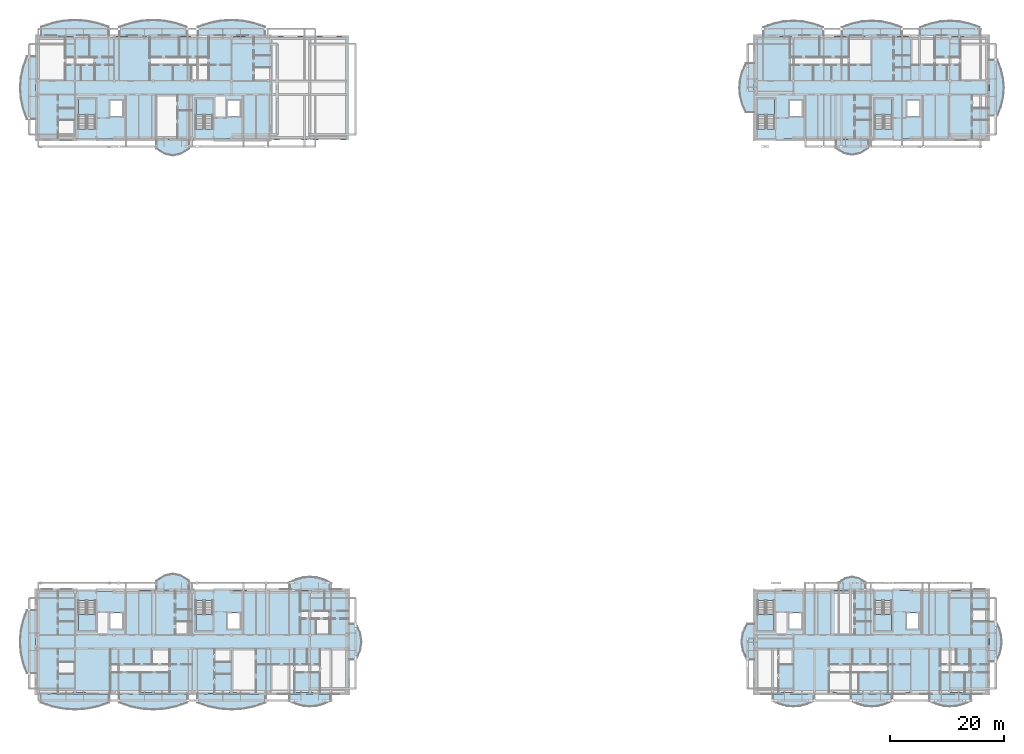
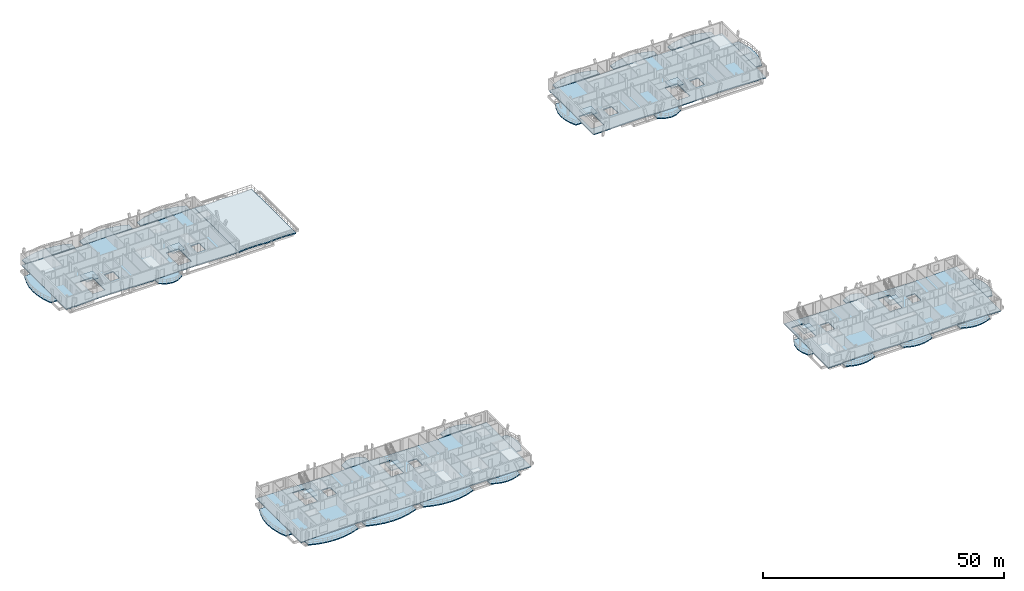
# One storey, part 9 of 42: 38 slabs, 8 elements without a shape of their own.
"""IFC4 building model written with IfcOpenShell, lengths in metres."""

from ifc_helpers import new_model, si_unit, direction, frame, origin, place, context, subcontext, project, spatial, polyline, outline, extrude, material, layer, layer_set, type_object, element, aggregate, save


model = new_model("IFC4")

# Units and contexts
model_context = context("Model", 3, precision=1e-05, world=origin(), true_north=direction((0.0, 1.0)))
body_context = subcontext(model_context, "Body", "Model", "MODEL_VIEW")
ifc_project = project(units=[si_unit("LENGTHUNIT", "METRE"), si_unit("AREAUNIT", "SQUARE_METRE"), si_unit("VOLUMEUNIT", "CUBIC_METRE"), si_unit("PLANEANGLEUNIT", "RADIAN"), si_unit("MASSUNIT", "GRAM", prefix="KILO")], contexts=[model_context])

# Site, building, storey
site_placement = place(None, origin())
site = spatial("IfcSite", under=ifc_project, at=site_placement, CompositionType="ELEMENT")
building_placement = place(site_placement, origin())
building = spatial("IfcBuilding", under=site, at=building_placement, Name="Zavelmont Quarter", CompositionType="ELEMENT")
storey_placement = place(building_placement, frame((0.0, 0.0, 24.0)))
storey = spatial("IfcBuildingStorey", under=building, at=storey_placement, Name="L07", CompositionType="ELEMENT", Elevation=24.0)

# Slabs
ifc_material_1 = material(Name="White architectural precast concrete C40/50", Category="concrete")
ifc_layer_1 = layer(ifc_material_1, 0.235107421875)
ifc_layer_set_1 = layer_set([ifc_layer_1], Name="White architectural precast concrete C40/50")
slab_type_1 = type_object("IfcSlabType", Name="SL-BL180", PredefinedType="FLOOR", material=ifc_layer_set_1)
slab_1_placement = place(storey_placement, frame((0.0, 0.0, -0.235107421875)))
element("IfcSlab", 1, at=slab_1_placement, inside=storey, type_object=slab_type_1, Name="L07 Block A street vase 1 balcony SL-BL180", PredefinedType="FLOOR", context=body_context, shape_type="SweptSolid", body=[
    extrude(outline(polyline([(0.89990234375, -0.02001953125), (0.89990234375, -1.538818359375), (2.89990234375, -2.210693359375), (4.89990234375, -2.61376953125), (6.89990234375, -2.748046875), (8.89990234375, -2.61376953125), (10.89990234375, -2.210693359375), (12.89990234375, -1.538818359375), (12.89990234375, -0.02001953125), (0.89990234375, -0.02001953125)])), origin(), (0.0, 0.0, 1.0), 0.235107421875),
])
slab_2_placement = place(storey_placement, frame((0.0, 0.0, -0.235107421875)))
element("IfcSlab", 2, at=slab_2_placement, inside=storey, type_object=slab_type_1, Name="L07 Block A street vase 4 balcony SL-BL180", PredefinedType="FLOOR", context=body_context, shape_type="SweptSolid", body=[
    extrude(outline(polyline([(44.69873046875, -0.02001953125), (44.69873046875, -1.237548828125), (45.899169921875, -1.77783203125), (47.099609375, -2.10205078125), (48.300048828125, -2.2099609375), (49.50048828125, -2.10205078125), (50.700927734375, -1.77783203125), (51.9013671875, -1.237548828125), (51.9013671875, -0.02001953125), (44.69873046875, -0.02001953125)])), origin(), (0.0, 0.0, 1.0), 0.235107421875),
])
slab_3_placement = place(storey_placement, frame((0.0, 0.0, -0.235107421875)))
element("IfcSlab", 3, at=slab_3_placement, inside=storey, type_object=slab_type_1, Name="L07 Block A courtyard central vase balcony SL-BL180", PredefinedType="FLOOR", context=body_context, shape_type="SweptSolid", body=[
    extrude(outline(polyline([(27.0, 18.419921875), (27.0, 19.93896484375), (25.574951171875, 20.845703125), (24.14990234375, 21.14794921875), (22.72509765625, 20.845703125), (21.300048828125, 19.93896484375), (21.300048828125, 18.419921875), (27.0, 18.419921875)])), origin(), (0.0, 0.0, 1.0), 0.235107421875),
])
slab_4_placement = place(storey_placement, frame((0.0, 0.0, -0.235107421875)))
element("IfcSlab", 4, at=slab_4_placement, inside=storey, type_object=slab_type_1, Name="L07 Block B street vase 1 balcony SL-BL180", PredefinedType="FLOOR", context=body_context, shape_type="SweptSolid", body=[
    extrude(outline(polyline([(12.821044921875, 116.02001953125), (12.821044921875, 117.5283203125), (10.847412109375, 118.1953125), (8.873779296875, 118.595703125), (6.89990234375, 118.72900390625), (4.92626953125, 118.595703125), (2.95263671875, 118.1953125), (0.97900390625, 117.5283203125), (0.97900390625, 116.02001953125), (12.821044921875, 116.02001953125)])), origin(), (0.0, 0.0, 1.0), 0.235107421875),
])
slab_5_placement = place(storey_placement, frame((0.0, 0.0, -0.235107421875)))
element("IfcSlab", 5, at=slab_5_placement, inside=storey, type_object=slab_type_1, Name="L07 Block B courtyard central vase balcony SL-BL180", PredefinedType="FLOOR", context=body_context, shape_type="SweptSolid", body=[
    extrude(outline(polyline([(21.300048828125, 97.580078125), (21.300048828125, 96.07177734375), (22.72509765625, 95.171142578125), (24.14990234375, 94.87109375), (25.574951171875, 95.171142578125), (27.0, 96.07177734375), (27.0, 97.580078125), (21.300048828125, 97.580078125)])), origin(), (0.0, 0.0, 1.0), 0.235107421875),
])
slab_6_placement = place(storey_placement, frame((0.0, 0.0, -0.235107421875)))
element("IfcSlab", 6, at=slab_6_placement, inside=storey, type_object=slab_type_1, Name="L07 Block C street vase 4 balcony SL-BL180", PredefinedType="FLOOR", context=body_context, shape_type="SweptSolid", body=[
    extrude(outline(polyline([(166.34912109375, 116.02001953125), (166.34912109375, 117.4521484375), (164.599365234375, 118.0859375), (162.849609375, 118.46630859375), (161.10009765625, 118.593017578125), (159.350341796875, 118.46630859375), (157.6005859375, 118.0859375), (155.850830078125, 117.4521484375), (155.850830078125, 116.02001953125), (166.34912109375, 116.02001953125)])), origin(), (0.0, 0.0, 1.0), 0.235107421875),
])
slab_7_placement = place(storey_placement, frame((0.0, 0.0, -0.235107421875)))
element("IfcSlab", 7, at=slab_7_placement, inside=storey, type_object=slab_type_1, Name="L07 Block C courtyard central vase balcony SL-BL180", PredefinedType="FLOOR", context=body_context, shape_type="SweptSolid", body=[
    extrude(outline(polyline([(141.0, 97.580078125), (141.0, 96.14794921875), (142.425048828125, 95.292236328125), (143.85009765625, 95.007080078125), (145.27490234375, 95.292236328125), (146.699951171875, 96.14794921875), (146.699951171875, 97.580078125), (141.0, 97.580078125)])), origin(), (0.0, 0.0, 1.0), 0.235107421875),
])
slab_8_placement = place(storey_placement, frame((0.0, 0.0, -0.235107421875)))
element("IfcSlab", 8, at=slab_8_placement, inside=storey, type_object=slab_type_1, Name="L07 Block D street vase 4 balcony SL-BL180", PredefinedType="FLOOR", context=body_context, shape_type="SweptSolid", body=[
    extrude(outline(polyline([(157.498779296875, -0.02001953125), (157.498779296875, -1.237548828125), (158.69921875, -1.77783203125), (159.899658203125, -2.10205078125), (161.10009765625, -2.2099609375), (162.30029296875, -2.10205078125), (163.5009765625, -1.77783203125), (164.701416015625, -1.237548828125), (164.701416015625, -0.02001953125), (157.498779296875, -0.02001953125)])), origin(), (0.0, 0.0, 1.0), 0.235107421875),
])
slab_9_placement = place(storey_placement, frame((0.0, 0.0, -0.235107421875)))
element("IfcSlab", 9, at=slab_9_placement, inside=storey, type_object=slab_type_1, Name="L07 Block D courtyard central vase balcony SL-BL180", PredefinedType="FLOOR", context=body_context, shape_type="SweptSolid", body=[
    extrude(outline(polyline([(146.199462890625, 18.419921875), (146.199462890625, 19.6376953125), (145.024658203125, 20.366943359375), (143.85009765625, 20.610107421875), (142.67529296875, 20.366943359375), (141.50048828125, 19.6376953125), (141.50048828125, 18.419921875), (146.199462890625, 18.419921875)])), origin(), (0.0, 0.0, 1.0), 0.235107421875),
])
ifc_layer_2 = layer(ifc_material_1, 0.2451171875)
ifc_layer_set_2 = layer_set([ifc_layer_2], Name="White architectural precast concrete C40/50")
slab_type_2 = type_object("IfcSlabType", Name="SL-BL200", PredefinedType="FLOOR", material=ifc_layer_set_2)
slab_10_placement = place(storey_placement, frame((0.0, 0.0, -0.2451171875)))
element("IfcSlab", 10, at=slab_10_placement, inside=storey, type_object=slab_type_2, Name="L07 Block A street vase 3 balcony SL-BL200", PredefinedType="FLOOR", context=body_context, shape_type="SweptSolid", body=[
    extrude(outline(polyline([(28.5, -0.02001953125), (28.5, -1.538818359375), (30.5, -2.210693359375), (32.5, -2.61376953125), (34.5, -2.748046875), (36.5, -2.61376953125), (38.5, -2.210693359375), (40.5, -1.538818359375), (40.5, -0.02001953125), (28.5, -0.02001953125)])), origin(), (0.0, 0.0, 1.0), 0.2451171875),
])
slab_11_placement = place(storey_placement, frame((0.0, 0.0, -0.2451171875)))
element("IfcSlab", 11, at=slab_11_placement, inside=storey, type_object=slab_type_2, Name="L07 Block A courtyard return vase balcony SL-BL200", PredefinedType="FLOOR", context=body_context, shape_type="SweptSolid", body=[
    extrude(outline(polyline([(55.219970703125, 6.074951171875), (56.4375, 6.074951171875), (57.1669921875, 7.637451171875), (57.409912109375, 9.199951171875), (57.1669921875, 10.762451171875), (56.4375, 12.3251953125), (55.219970703125, 12.3251953125), (55.219970703125, 6.074951171875)])), origin(), (0.0, 0.0, 1.0), 0.2451171875),
])
slab_12_placement = place(storey_placement, frame((0.0, 0.0, -0.2451171875)))
element("IfcSlab", 12, at=slab_12_placement, inside=storey, type_object=slab_type_2, Name="L07 Block A courtyard outer vase balcony SL-BL200", PredefinedType="FLOOR", context=body_context, shape_type="SweptSolid", body=[
    extrude(outline(polyline([(51.802490234375, 18.419921875), (51.802490234375, 19.6376953125), (50.635009765625, 20.177734375), (49.467529296875, 20.501953125), (48.300048828125, 20.610107421875), (47.132568359375, 20.501953125), (45.965087890625, 20.177734375), (44.797607421875, 19.6376953125), (44.797607421875, 18.419921875), (51.802490234375, 18.419921875)])), origin(), (0.0, 0.0, 1.0), 0.2451171875),
])
slab_13_placement = place(storey_placement, frame((0.0, 0.0, -0.2451171875)))
element("IfcSlab", 13, at=slab_13_placement, inside=storey, type_object=slab_type_2, Name="L07 Block B street vase 3 balcony SL-BL200", PredefinedType="FLOOR", context=body_context, shape_type="SweptSolid", body=[
    extrude(outline(polyline([(40.421142578125, 116.02001953125), (40.421142578125, 117.5283203125), (38.447509765625, 118.1953125), (36.4736328125, 118.595703125), (34.5, 118.72900390625), (32.5263671875, 118.595703125), (30.552490234375, 118.1953125), (28.578857421875, 117.5283203125), (28.578857421875, 116.02001953125), (40.421142578125, 116.02001953125)])), origin(), (0.0, 0.0, 1.0), 0.2451171875),
])
slab_14_placement = place(storey_placement, frame((0.0, 0.0, -0.2451171875)))
element("IfcSlab", 14, at=slab_14_placement, inside=storey, type_object=slab_type_2, Name="L07 Block C street vase 3 balcony SL-BL200", PredefinedType="FLOOR", context=body_context, shape_type="SweptSolid", body=[
    extrude(outline(polyline([(152.549072265625, 116.02001953125), (152.549072265625, 117.4521484375), (150.79931640625, 118.0859375), (149.0498046875, 118.46630859375), (147.300048828125, 118.593017578125), (145.55029296875, 118.46630859375), (143.800537109375, 118.0859375), (142.05078125, 117.4521484375), (142.05078125, 116.02001953125), (152.549072265625, 116.02001953125)])), origin(), (0.0, 0.0, 1.0), 0.2451171875),
])
slab_15_placement = place(storey_placement, frame((0.0, 0.0, -0.2451171875)))
element("IfcSlab", 15, at=slab_15_placement, inside=storey, type_object=slab_type_2, Name="L07 Block C courtyard return vase balcony SL-BL200", PredefinedType="FLOOR", context=body_context, shape_type="SweptSolid", body=[
    extrude(outline(polyline([(126.580078125, 111.11376953125), (125.14794921875, 111.11376953125), (124.51416015625, 109.67578125), (124.1337890625, 108.23779296875), (124.007080078125, 106.800048828125), (124.1337890625, 105.362060546875), (124.51416015625, 103.924072265625), (125.14794921875, 102.486083984375), (126.580078125, 102.486083984375), (126.580078125, 111.11376953125)])), origin(), (0.0, 0.0, 1.0), 0.2451171875),
])
slab_16_placement = place(storey_placement, frame((0.0, 0.0, -0.2451171875)))
element("IfcSlab", 16, at=slab_16_placement, inside=storey, type_object=slab_type_2, Name="L07 Block D street vase 3 balcony SL-BL200", PredefinedType="FLOOR", context=body_context, shape_type="SweptSolid", body=[
    extrude(outline(polyline([(143.69873046875, -0.02001953125), (143.69873046875, -1.237548828125), (144.899169921875, -1.77783203125), (146.099609375, -2.10205078125), (147.300048828125, -2.2099609375), (148.50048828125, -2.10205078125), (149.700927734375, -1.77783203125), (150.9013671875, -1.237548828125), (150.9013671875, -0.02001953125), (143.69873046875, -0.02001953125)])), origin(), (0.0, 0.0, 1.0), 0.2451171875),
])
slab_17_placement = place(storey_placement, frame((0.0, 0.0, -0.2451171875)))
element("IfcSlab", 17, at=slab_17_placement, inside=storey, type_object=slab_type_2, Name="L07 Block D courtyard return vase balcony SL-BL200", PredefinedType="FLOOR", context=body_context, shape_type="SweptSolid", body=[
    extrude(outline(polyline([(126.580078125, 12.3251953125), (125.3623046875, 12.3251953125), (124.633056640625, 10.762451171875), (124.389892578125, 9.199951171875), (124.633056640625, 7.637451171875), (125.3623046875, 6.074951171875), (126.580078125, 6.074951171875), (126.580078125, 12.3251953125)])), origin(), (0.0, 0.0, 1.0), 0.2451171875),
])
ifc_layer_3 = layer(ifc_material_1, 0.2548828125)
ifc_layer_set_3 = layer_set([ifc_layer_3], Name="White architectural precast concrete C40/50")
slab_type_3 = type_object("IfcSlabType", Name="SL-BL220", PredefinedType="FLOOR", material=ifc_layer_set_3)
slab_18_placement = place(storey_placement, frame((0.0, 0.0, -0.2548828125)))
element("IfcSlab", 18, at=slab_18_placement, inside=storey, type_object=slab_type_3, Name="L07 Block A street vase 2 balcony SL-BL220", PredefinedType="FLOOR", context=body_context, shape_type="SweptSolid", body=[
    extrude(outline(polyline([(14.699951171875, -0.02001953125), (14.699951171875, -1.538818359375), (16.699951171875, -2.210693359375), (18.699951171875, -2.61376953125), (20.699951171875, -2.748046875), (22.699951171875, -2.61376953125), (24.699951171875, -2.210693359375), (26.699951171875, -1.538818359375), (26.699951171875, -0.02001953125), (14.699951171875, -0.02001953125)])), origin(), (0.0, 0.0, 1.0), 0.2548828125),
])
slab_19_placement = place(storey_placement, frame((0.0, 0.0, -0.2548828125)))
element("IfcSlab", 19, at=slab_19_placement, inside=storey, type_object=slab_type_3, Name="L07 Block A boulevard vase balcony SL-BL220", PredefinedType="FLOOR", context=body_context, shape_type="SweptSolid", body=[
    extrude(outline(polyline([(-0.02001953125, 14.75), (-1.538818359375, 14.75), (-2.210693359375, 12.89990234375), (-2.61376953125, 11.050048828125), (-2.748046875, 9.199951171875), (-2.61376953125, 7.35009765625), (-2.210693359375, 5.5), (-1.538818359375, 3.64990234375), (-0.02001953125, 3.64990234375), (-0.02001953125, 14.75)])), origin(), (0.0, 0.0, 1.0), 0.2548828125),
])
slab_20_placement = place(storey_placement, frame((0.0, 0.0, -0.2548828125)))
element("IfcSlab", 20, at=slab_20_placement, inside=storey, type_object=slab_type_3, Name="L07 Block B street vase 2 balcony SL-BL220", PredefinedType="FLOOR", context=body_context, shape_type="SweptSolid", body=[
    extrude(outline(polyline([(26.62109375, 116.02001953125), (26.62109375, 117.5283203125), (24.6474609375, 118.1953125), (22.673583984375, 118.595703125), (20.699951171875, 118.72900390625), (18.726318359375, 118.595703125), (16.752685546875, 118.1953125), (14.77880859375, 117.5283203125), (14.77880859375, 116.02001953125), (26.62109375, 116.02001953125)])), origin(), (0.0, 0.0, 1.0), 0.2548828125),
])
slab_21_placement = place(storey_placement, frame((0.0, 0.0, -0.2548828125)))
element("IfcSlab", 21, at=slab_21_placement, inside=storey, type_object=slab_type_3, Name="L07 Block B boulevard vase balcony SL-BL220", PredefinedType="FLOOR", context=body_context, shape_type="SweptSolid", body=[
    extrude(outline(polyline([(-0.02001953125, 112.30126953125), (-1.5283203125, 112.30126953125), (-2.1953125, 110.467529296875), (-2.595703125, 108.6337890625), (-2.72900390625, 106.800048828125), (-2.595703125, 104.96630859375), (-2.1953125, 103.132568359375), (-1.5283203125, 101.298828125), (-0.02001953125, 101.298828125), (-0.02001953125, 112.30126953125)])), origin(), (0.0, 0.0, 1.0), 0.2548828125),
])
slab_22_placement = place(storey_placement, frame((0.0, 0.0, -0.2548828125)))
element("IfcSlab", 22, at=slab_22_placement, inside=storey, type_object=slab_type_3, Name="L07 Block C street vase 2 balcony SL-BL220", PredefinedType="FLOOR", context=body_context, shape_type="SweptSolid", body=[
    extrude(outline(polyline([(138.7490234375, 116.02001953125), (138.7490234375, 117.4521484375), (136.99951171875, 118.0859375), (135.249755859375, 118.46630859375), (133.5, 118.593017578125), (131.750244140625, 118.46630859375), (130.00048828125, 118.0859375), (128.2509765625, 117.4521484375), (128.2509765625, 116.02001953125), (138.7490234375, 116.02001953125)])), origin(), (0.0, 0.0, 1.0), 0.2548828125),
])
slab_23_placement = place(storey_placement, frame((0.0, 0.0, -0.2548828125)))
element("IfcSlab", 23, at=slab_23_placement, inside=storey, type_object=slab_type_3, Name="L07 Block C boulevard vase balcony SL-BL220", PredefinedType="FLOOR", context=body_context, shape_type="SweptSolid", body=[
    extrude(outline(polyline([(168.02001953125, 101.888671875), (169.4521484375, 101.888671875), (170.0859375, 103.52587890625), (170.46630859375, 105.162841796875), (170.593017578125, 106.800048828125), (170.46630859375, 108.43701171875), (170.0859375, 110.07421875), (169.4521484375, 111.711181640625), (168.02001953125, 111.711181640625), (168.02001953125, 101.888671875)])), origin(), (0.0, 0.0, 1.0), 0.2548828125),
])
slab_24_placement = place(storey_placement, frame((0.0, 0.0, -0.2548828125)))
element("IfcSlab", 24, at=slab_24_placement, inside=storey, type_object=slab_type_3, Name="L07 Block D street vase 2 balcony SL-BL220", PredefinedType="FLOOR", context=body_context, shape_type="SweptSolid", body=[
    extrude(outline(polyline([(129.898681640625, -0.02001953125), (129.898681640625, -1.237548828125), (131.09912109375, -1.77783203125), (132.299560546875, -2.10205078125), (133.5, -2.2099609375), (134.700439453125, -2.10205078125), (135.90087890625, -1.77783203125), (137.101318359375, -1.237548828125), (137.101318359375, -0.02001953125), (129.898681640625, -0.02001953125)])), origin(), (0.0, 0.0, 1.0), 0.2548828125),
])
slab_25_placement = place(storey_placement, frame((0.0, 0.0, -0.2548828125)))
element("IfcSlab", 25, at=slab_25_placement, inside=storey, type_object=slab_type_3, Name="L07 Block D boulevard vase balcony SL-BL220", PredefinedType="FLOOR", context=body_context, shape_type="SweptSolid", body=[
    extrude(outline(polyline([(168.02001953125, 5.697509765625), (169.237548828125, 5.697509765625), (169.77783203125, 6.864990234375), (170.10205078125, 8.032470703125), (170.2099609375, 9.199951171875), (170.10205078125, 10.367431640625), (169.77783203125, 11.534912109375), (169.237548828125, 12.702392578125), (168.02001953125, 12.702392578125), (168.02001953125, 5.697509765625)])), origin(), (0.0, 0.0, 1.0), 0.2548828125),
])
ifc_material_2 = material(Name="Concrete C35/45", Category="concrete")
ifc_layer_4 = layer(ifc_material_2, 0.25)
ifc_layer_set_4 = layer_set([ifc_layer_4], Name="Concrete C35/45")
slab_type_4 = type_object("IfcSlabType", Name="SL-FL250", PredefinedType="FLOOR", material=ifc_layer_set_4)
slab_26_placement = place(storey_placement, frame((0.0, 0.0, -0.25)))
element("IfcSlab", 26, at=slab_26_placement, inside=storey, type_object=slab_type_4, Name="L07 Block A floor slab SL-FL250", PredefinedType="FLOOR", context=body_context, shape_type="SweptSolid", body=[
    extrude(outline(polyline([(0.0, 0.0), (3.449951171875, 0.041015625), (6.89990234375, 0.139892578125), (10.35009765625, 0.239013671875), (13.800048828125, 0.280029296875), (17.25, 0.239013671875), (20.699951171875, 0.139892578125), (24.14990234375, 0.041015625), (27.60009765625, 0.0), (31.050048828125, 0.041015625), (34.5, 0.139892578125), (37.949951171875, 0.239013671875), (41.39990234375, 0.280029296875), (44.85009765625, 0.239013671875), (48.300048828125, 0.139892578125), (51.75, 0.041015625), (55.199951171875, 0.0), (55.199951171875, 3.679931640625), (55.199951171875, 7.360107421875), (55.199951171875, 11.0400390625), (55.199951171875, 14.719970703125), (55.199951171875, 18.39990234375), (51.75, 18.35888671875), (48.300048828125, 18.260009765625), (44.85009765625, 18.160888671875), (41.39990234375, 18.1201171875), (37.949951171875, 18.160888671875), (34.5, 18.260009765625), (31.050048828125, 18.35888671875), (27.60009765625, 18.39990234375), (24.14990234375, 18.35888671875), (20.699951171875, 18.260009765625), (17.25, 18.160888671875), (13.800048828125, 18.1201171875), (10.35009765625, 18.160888671875), (6.89990234375, 18.260009765625), (3.449951171875, 18.35888671875), (0.0, 18.39990234375), (0.0, 14.719970703125), (0.0, 11.0400390625), (0.0, 7.360107421875), (0.0, 3.679931640625), (0.0, 0.0)]), holes=[polyline([(7.5, 16.425048828125), (7.5, 11.199951171875), (10.5, 11.199951171875), (10.5, 16.425048828125), (7.5, 16.425048828125)]), polyline([(13.14990234375, 11.5), (15.25, 11.5), (15.25, 14.25), (13.14990234375, 14.25), (13.14990234375, 11.5)]), polyline([(28.199951171875, 16.425048828125), (28.199951171875, 11.199951171875), (31.199951171875, 11.199951171875), (31.199951171875, 16.425048828125), (28.199951171875, 16.425048828125)]), polyline([(33.85009765625, 11.5), (35.949951171875, 11.5), (35.949951171875, 14.25), (33.85009765625, 14.25), (33.85009765625, 11.5)])]), origin(), (0.0, 0.0, 1.0), 0.25),
])
slab_27_placement = place(storey_placement, frame((0.0, 0.0, -0.25)))
element("IfcSlab", 27, at=slab_27_placement, inside=storey, type_object=slab_type_4, Name="L07 Block B floor slab SL-FL250", PredefinedType="FLOOR", context=body_context, shape_type="SweptSolid", body=[
    extrude(outline(polyline([(0.0, 97.60009765625), (3.449951171875, 97.669921875), (6.89990234375, 97.81005859375), (10.35009765625, 97.8798828125), (13.800048828125, 97.81005859375), (17.25, 97.669921875), (20.699951171875, 97.60009765625), (24.14990234375, 97.669921875), (27.60009765625, 97.81005859375), (31.050048828125, 97.8798828125), (34.5, 97.81005859375), (37.949951171875, 97.669921875), (41.39990234375, 97.60009765625), (41.39990234375, 101.280029296875), (41.39990234375, 104.9599609375), (41.39990234375, 108.639892578125), (41.39990234375, 112.320068359375), (41.39990234375, 116.0), (37.949951171875, 115.929931640625), (34.5, 115.7900390625), (31.050048828125, 115.719970703125), (27.60009765625, 115.7900390625), (24.14990234375, 115.929931640625), (20.699951171875, 116.0), (17.25, 115.929931640625), (13.800048828125, 115.7900390625), (10.35009765625, 115.719970703125), (6.89990234375, 115.7900390625), (3.449951171875, 115.929931640625), (0.0, 116.0), (0.0, 112.320068359375), (0.0, 108.639892578125), (0.0, 104.9599609375), (0.0, 101.280029296875), (0.0, 97.60009765625)]), holes=[polyline([(10.5, 99.574951171875), (10.5, 104.800048828125), (7.5, 104.800048828125), (7.5, 99.574951171875), (10.5, 99.574951171875)]), polyline([(13.14990234375, 101.75), (15.25, 101.75), (15.25, 104.5), (13.14990234375, 104.5), (13.14990234375, 101.75)]), polyline([(31.199951171875, 99.574951171875), (31.199951171875, 104.800048828125), (28.199951171875, 104.800048828125), (28.199951171875, 99.574951171875), (31.199951171875, 99.574951171875)]), polyline([(33.85009765625, 101.75), (35.949951171875, 101.75), (35.949951171875, 104.5), (33.85009765625, 104.5), (33.85009765625, 101.75)])]), origin(), (0.0, 0.0, 1.0), 0.25),
])
slab_28_placement = place(storey_placement, frame((0.0, 0.0, -0.25)))
element("IfcSlab", 28, at=slab_28_placement, inside=storey, type_object=slab_type_4, Name="L07 Block C floor slab SL-FL250", PredefinedType="FLOOR", context=body_context, shape_type="SweptSolid", body=[
    extrude(outline(polyline([(126.60009765625, 97.60009765625), (130.050048828125, 97.669921875), (133.5, 97.81005859375), (136.949951171875, 97.8798828125), (140.39990234375, 97.81005859375), (143.85009765625, 97.669921875), (147.300048828125, 97.60009765625), (150.75, 97.669921875), (154.199951171875, 97.81005859375), (157.64990234375, 97.8798828125), (161.10009765625, 97.81005859375), (164.550048828125, 97.669921875), (168.0, 97.60009765625), (168.0, 101.280029296875), (168.0, 104.9599609375), (168.0, 108.639892578125), (168.0, 112.320068359375), (168.0, 116.0), (164.550048828125, 115.929931640625), (161.10009765625, 115.7900390625), (157.64990234375, 115.719970703125), (154.199951171875, 115.7900390625), (150.75, 115.929931640625), (147.300048828125, 116.0), (143.85009765625, 115.929931640625), (140.39990234375, 115.7900390625), (136.949951171875, 115.719970703125), (133.5, 115.7900390625), (130.050048828125, 115.929931640625), (126.60009765625, 116.0), (126.60009765625, 112.320068359375), (126.60009765625, 108.639892578125), (126.60009765625, 104.9599609375), (126.60009765625, 101.280029296875), (126.60009765625, 97.60009765625)]), holes=[polyline([(130.199951171875, 99.574951171875), (130.199951171875, 104.800048828125), (127.199951171875, 104.800048828125), (127.199951171875, 99.574951171875), (130.199951171875, 99.574951171875)]), polyline([(132.85009765625, 101.75), (134.949951171875, 101.75), (134.949951171875, 104.5), (132.85009765625, 104.5), (132.85009765625, 101.75)]), polyline([(150.89990234375, 99.574951171875), (150.89990234375, 104.800048828125), (147.89990234375, 104.800048828125), (147.89990234375, 99.574951171875), (150.89990234375, 99.574951171875)]), polyline([(153.550048828125, 101.75), (155.64990234375, 101.75), (155.64990234375, 104.5), (153.550048828125, 104.5), (153.550048828125, 101.75)])]), origin(), (0.0, 0.0, 1.0), 0.25),
])
slab_29_placement = place(storey_placement, frame((0.0, 0.0, -0.25)))
element("IfcSlab", 29, at=slab_29_placement, inside=storey, type_object=slab_type_4, Name="L07 Block D floor slab SL-FL250", PredefinedType="FLOOR", context=body_context, shape_type="SweptSolid", body=[
    extrude(outline(polyline([(126.60009765625, 0.0), (130.050048828125, 0.070068359375), (133.5, 0.2099609375), (136.949951171875, 0.280029296875), (140.39990234375, 0.2099609375), (143.85009765625, 0.070068359375), (147.300048828125, 0.0), (150.75, 0.070068359375), (154.199951171875, 0.2099609375), (157.64990234375, 0.280029296875), (161.10009765625, 0.2099609375), (164.550048828125, 0.070068359375), (168.0, 0.0), (168.0, 3.679931640625), (168.0, 7.360107421875), (168.0, 11.0400390625), (168.0, 14.719970703125), (168.0, 18.39990234375), (164.550048828125, 18.330078125), (161.10009765625, 18.18994140625), (157.64990234375, 18.1201171875), (154.199951171875, 18.18994140625), (150.75, 18.330078125), (147.300048828125, 18.39990234375), (143.85009765625, 18.330078125), (140.39990234375, 18.18994140625), (136.949951171875, 18.1201171875), (133.5, 18.18994140625), (130.050048828125, 18.330078125), (126.60009765625, 18.39990234375), (126.60009765625, 14.719970703125), (126.60009765625, 11.0400390625), (126.60009765625, 7.360107421875), (126.60009765625, 3.679931640625), (126.60009765625, 0.0)]), holes=[polyline([(127.199951171875, 16.425048828125), (127.199951171875, 11.199951171875), (130.10009765625, 11.199951171875), (130.10009765625, 16.425048828125), (127.199951171875, 16.425048828125)]), polyline([(132.75, 11.5), (134.85009765625, 11.5), (134.85009765625, 14.25), (132.75, 14.25), (132.75, 11.5)]), polyline([(147.89990234375, 16.425048828125), (147.89990234375, 11.199951171875), (150.800048828125, 11.199951171875), (150.800048828125, 16.425048828125), (147.89990234375, 16.425048828125)]), polyline([(153.449951171875, 11.5), (155.550048828125, 11.5), (155.550048828125, 14.25), (153.449951171875, 14.25), (153.449951171875, 11.5)])]), origin(), (0.0, 0.0, 1.0), 0.25),
])

# Stair, slab
stair_type_1 = type_object("IfcStairType", Name="STR-1400-1778", PredefinedType="HALF_TURN_STAIR", material=ifc_material_2)
stair_1_placement = place(storey_placement, origin())
stair_1 = element("IfcStair", 30, at=stair_1_placement, inside=storey, type_object=stair_type_1, Name="L07 protected stair ST01", PredefinedType="HALF_TURN_STAIR")
ifc_layer_5 = layer(ifc_material_2, 0.199951171875)
ifc_layer_set_5 = layer_set([ifc_layer_5], Name="Concrete C35/45")
slab_type_5 = type_object("IfcSlabType", Name="SL-LND200", PredefinedType="LANDING", material=ifc_layer_set_5)
slab_30_placement = place(storey_placement, frame((0.0, 0.0, 1.39990234375)))
slab_30 = element("IfcSlab", 31, at=slab_30_placement, type_object=slab_type_5, Name="ST01 landing 1", PredefinedType="LANDING", context=body_context, shape_type="SweptSolid", body=[
    extrude(outline(polyline([(7.5, 13.969970703125), (7.5, 11.199951171875), (10.5, 11.199951171875), (10.5, 13.969970703125), (7.5, 13.969970703125)])), origin(), (0.0, 0.0, 1.0), 0.2001953125),
])
aggregate(stair_1, [slab_30])

stair_2_placement = place(storey_placement, origin())
stair_2 = element("IfcStair", 32, at=stair_2_placement, inside=storey, type_object=stair_type_1, Name="L07 protected stair ST02", PredefinedType="HALF_TURN_STAIR")
slab_31_placement = place(storey_placement, frame((0.0, 0.0, 1.39990234375)))
slab_31 = element("IfcSlab", 33, at=slab_31_placement, type_object=slab_type_5, Name="ST02 landing 1", PredefinedType="LANDING", context=body_context, shape_type="SweptSolid", body=[
    extrude(outline(polyline([(28.199951171875, 13.969970703125), (28.199951171875, 11.199951171875), (31.199951171875, 11.199951171875), (31.199951171875, 13.969970703125), (28.199951171875, 13.969970703125)])), origin(), (0.0, 0.0, 1.0), 0.2001953125),
])
aggregate(stair_2, [slab_31])

stair_3_placement = place(storey_placement, origin())
stair_3 = element("IfcStair", 34, at=stair_3_placement, inside=storey, type_object=stair_type_1, Name="L07 protected stair ST03", PredefinedType="HALF_TURN_STAIR")
slab_32_placement = place(storey_placement, frame((0.0, 0.0, 1.39990234375)))
slab_32 = element("IfcSlab", 35, at=slab_32_placement, type_object=slab_type_5, Name="ST03 landing 1", PredefinedType="LANDING", context=body_context, shape_type="SweptSolid", body=[
    extrude(outline(polyline([(10.5, 102.030029296875), (10.5, 104.800048828125), (7.5, 104.800048828125), (7.5, 102.030029296875), (10.5, 102.030029296875)])), origin(), (0.0, 0.0, 1.0), 0.2001953125),
])
aggregate(stair_3, [slab_32])

stair_4_placement = place(storey_placement, origin())
stair_4 = element("IfcStair", 36, at=stair_4_placement, inside=storey, type_object=stair_type_1, Name="L07 protected stair ST04", PredefinedType="HALF_TURN_STAIR")
slab_33_placement = place(storey_placement, frame((0.0, 0.0, 1.39990234375)))
slab_33 = element("IfcSlab", 37, at=slab_33_placement, type_object=slab_type_5, Name="ST04 landing 1", PredefinedType="LANDING", context=body_context, shape_type="SweptSolid", body=[
    extrude(outline(polyline([(31.199951171875, 102.030029296875), (31.199951171875, 104.800048828125), (28.199951171875, 104.800048828125), (28.199951171875, 102.030029296875), (31.199951171875, 102.030029296875)])), origin(), (0.0, 0.0, 1.0), 0.2001953125),
])
aggregate(stair_4, [slab_33])

stair_5_placement = place(storey_placement, origin())
stair_5 = element("IfcStair", 38, at=stair_5_placement, inside=storey, type_object=stair_type_1, Name="L07 protected stair ST05", PredefinedType="HALF_TURN_STAIR")
slab_34_placement = place(storey_placement, frame((0.0, 0.0, 1.39990234375)))
slab_34 = element("IfcSlab", 39, at=slab_34_placement, type_object=slab_type_5, Name="ST05 landing 1", PredefinedType="LANDING", context=body_context, shape_type="SweptSolid", body=[
    extrude(outline(polyline([(130.199951171875, 102.030029296875), (130.199951171875, 104.800048828125), (127.199951171875, 104.800048828125), (127.199951171875, 102.030029296875), (130.199951171875, 102.030029296875)])), origin(), (0.0, 0.0, 1.0), 0.2001953125),
])
aggregate(stair_5, [slab_34])

stair_6_placement = place(storey_placement, origin())
stair_6 = element("IfcStair", 40, at=stair_6_placement, inside=storey, type_object=stair_type_1, Name="L07 protected stair ST06", PredefinedType="HALF_TURN_STAIR")
slab_35_placement = place(storey_placement, frame((0.0, 0.0, 1.39990234375)))
slab_35 = element("IfcSlab", 41, at=slab_35_placement, type_object=slab_type_5, Name="ST06 landing 1", PredefinedType="LANDING", context=body_context, shape_type="SweptSolid", body=[
    extrude(outline(polyline([(150.89990234375, 102.030029296875), (150.89990234375, 104.800048828125), (147.89990234375, 104.800048828125), (147.89990234375, 102.030029296875), (150.89990234375, 102.030029296875)])), origin(), (0.0, 0.0, 1.0), 0.2001953125),
])
aggregate(stair_6, [slab_35])

stair_type_2 = type_object("IfcStairType", Name="STR-1350-1778", PredefinedType="HALF_TURN_STAIR", material=ifc_material_2)
stair_7_placement = place(storey_placement, origin())
stair_7 = element("IfcStair", 42, at=stair_7_placement, inside=storey, type_object=stair_type_2, Name="L07 protected stair ST07", PredefinedType="HALF_TURN_STAIR")
slab_36_placement = place(storey_placement, frame((0.0, 0.0, 1.39990234375)))
slab_36 = element("IfcSlab", 43, at=slab_36_placement, type_object=slab_type_5, Name="ST07 landing 1", PredefinedType="LANDING", context=body_context, shape_type="SweptSolid", body=[
    extrude(outline(polyline([(127.199951171875, 13.969970703125), (127.199951171875, 11.199951171875), (130.10009765625, 11.199951171875), (130.10009765625, 13.969970703125), (127.199951171875, 13.969970703125)])), origin(), (0.0, 0.0, 1.0), 0.2001953125),
])
aggregate(stair_7, [slab_36])

stair_8_placement = place(storey_placement, origin())
stair_8 = element("IfcStair", 44, at=stair_8_placement, inside=storey, type_object=stair_type_2, Name="L07 protected stair ST08", PredefinedType="HALF_TURN_STAIR")
slab_37_placement = place(storey_placement, frame((0.0, 0.0, 1.39990234375)))
slab_37 = element("IfcSlab", 45, at=slab_37_placement, type_object=slab_type_5, Name="ST08 landing 1", PredefinedType="LANDING", context=body_context, shape_type="SweptSolid", body=[
    extrude(outline(polyline([(147.89990234375, 13.969970703125), (147.89990234375, 11.199951171875), (150.800048828125, 11.199951171875), (150.800048828125, 13.969970703125), (147.89990234375, 13.969970703125)])), origin(), (0.0, 0.0, 1.0), 0.2001953125),
])
aggregate(stair_8, [slab_37])

# Slab
ifc_layer_6 = layer(ifc_material_2, 0.2900390625)
ifc_layer_set_6 = layer_set([ifc_layer_6], Name="Concrete C35/45")
slab_type_6 = type_object("IfcSlabType", Name="SL-TR290", PredefinedType="FLOOR", material=ifc_layer_set_6)
slab_38_placement = place(storey_placement, frame((0.0, 0.0, -0.2900390625)))
element("IfcSlab", 46, at=slab_38_placement, inside=storey, type_object=slab_type_6, Name="L07 Block B setback terrace roof slab SL-TR290", PredefinedType="FLOOR", context=body_context, shape_type="SweptSolid", body=[
    extrude(outline(polyline([(41.449951171875, 97.60009765625), (43.74169921875, 97.81005859375), (46.033203125, 97.81005859375), (48.324951171875, 97.60009765625), (50.61669921875, 97.81005859375), (52.908203125, 97.81005859375), (55.199951171875, 97.60009765625), (55.199951171875, 101.280029296875), (55.199951171875, 104.9599609375), (55.199951171875, 108.639892578125), (55.199951171875, 112.320068359375), (55.199951171875, 116.0), (52.908203125, 115.7900390625), (50.61669921875, 115.7900390625), (48.324951171875, 116.0), (46.033203125, 115.7900390625), (43.74169921875, 115.7900390625), (41.449951171875, 116.0), (41.449951171875, 112.320068359375), (41.449951171875, 108.639892578125), (41.449951171875, 104.9599609375), (41.449951171875, 101.280029296875), (41.449951171875, 97.60009765625)])), origin(), (0.0, 0.0, 1.0), 0.2900390625),
])

save(model, "model.ifc")
